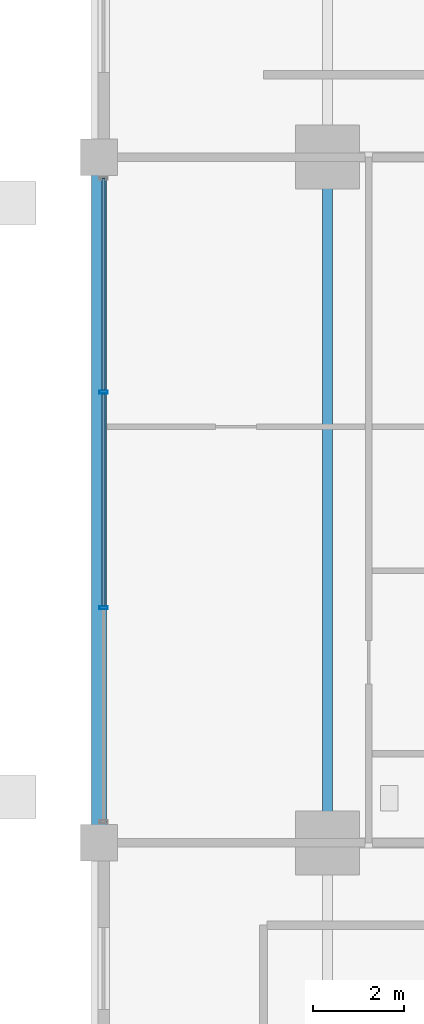
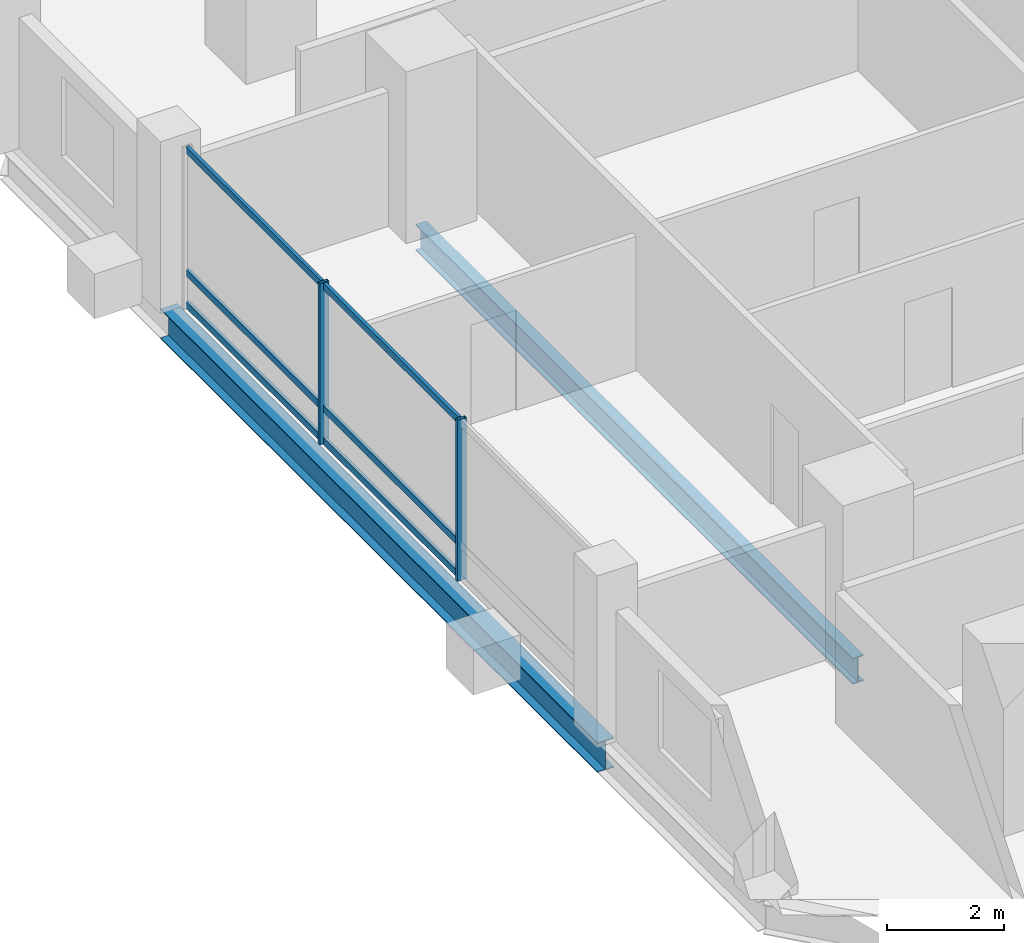
# One storey, part 6 of 23: 8 members, 2 beams, 1 element without a shape of its own.
"""IFC4 building model written with IfcOpenShell, lengths in metres."""

from ifc_helpers import new_model, si_unit, direction, frame, origin, origin_2d, place, context, subcontext, project, spatial, hollow_rectangle, i_section, extrude, material, layer, layer_set, material_profile, profile_set, type_object, element, aggregate, save


model = new_model("IFC4")

# Units and contexts
model_context = context("Model", 3, precision=1e-05, world=origin(), true_north=direction((0.0, 1.0)))
body_context = subcontext(model_context, "Body", "Model", "MODEL_VIEW")
ifc_project = project(units=[si_unit("LENGTHUNIT", "METRE"), si_unit("AREAUNIT", "SQUARE_METRE"), si_unit("VOLUMEUNIT", "CUBIC_METRE"), si_unit("PLANEANGLEUNIT", "RADIAN"), si_unit("MASSUNIT", "GRAM", prefix="KILO")], contexts=[model_context])

# Site, building, storey
site_placement = place(None, origin())
site = spatial("IfcSite", under=ifc_project, at=site_placement, CompositionType="ELEMENT")
building_placement = place(site_placement, origin())
building = spatial("IfcBuilding", under=site, at=building_placement, Name="Barlavira Tower and Art Museum", CompositionType="ELEMENT")
storey_placement = place(building_placement, frame((0.0, 0.0, 75.60009765625)))
storey = spatial("IfcBuildingStorey", under=building, at=storey_placement, Name="L18", CompositionType="ELEMENT", Elevation=75.60009765625)

# Curtain wall, members
ifc_material_1 = material(Name="Low-iron coastal laminated glass", Category="glass")
ifc_layer = layer(ifc_material_1, 0.179931640625, Name="Low-iron coastal laminated glass")
ifc_layer_set = layer_set([ifc_layer], Name="Low-iron coastal laminated glass")
curtain_wall_type = type_object("IfcCurtainWallType", Name="Pale-Metal Unitised Curtain Wall Zone 1", PredefinedType="NOTDEFINED", material=ifc_layer_set)
curtain_wall_placement = place(storey_placement, origin())
curtain_wall = element("IfcCurtainWall", 1, at=curtain_wall_placement, inside=storey, type_object=curtain_wall_type, Name="L18 Curtain Wall CW1-L18-W-B3", PredefinedType="NOTDEFINED")
ifc_material_2 = material(Name="Pale anodised aluminium", Category="aluminium")
ifc_material_profile_1 = material_profile(ifc_material_2, hollow_rectangle(XDim=0.06494140625, YDim=0.179931640625, WallThickness=0.00390625, at=origin_2d()), Name="ALU-MULL 65x180x4")
ifc_profile_set_1 = profile_set([ifc_material_profile_1], Name="Pale anodised aluminium")
member_type_1 = type_object("IfcMemberType", Name="Curtain Wall Pale-Metal Mullion 65x180", PredefinedType="MULLION", material=ifc_profile_set_1)
member_1_placement = place(storey_placement, frame((-21.89990234375, 2.360107421875, 0.0), z_axis=(0.0, 0.0, 1.0), x_axis=(0.0, -1.0, 0.0)))
member_1 = element("IfcMember", 2, at=member_1_placement, type_object=member_type_1, Name="CW1-L18-W-B3 Mullion 1", PredefinedType="MULLION", context=body_context, shape_type="SweptSolid", body=[
    extrude(hollow_rectangle(XDim=0.06494140625, YDim=0.179931640625, WallThickness=0.00390625, at=origin_2d()), origin(), (0.0, 0.0, 1.0), 3.3798828125),
])
member_2_placement = place(storey_placement, frame((-21.89990234375, -2.360107421875, 0.0), z_axis=(0.0, 0.0, 1.0), x_axis=(0.0, -1.0, 0.0)))
member_2 = element("IfcMember", 3, at=member_2_placement, type_object=member_type_1, Name="CW1-L18-W-B3 Mullion 2", PredefinedType="MULLION", context=body_context, shape_type="SweptSolid", body=[
    extrude(hollow_rectangle(XDim=0.06494140625, YDim=0.179931640625, WallThickness=0.00390625, at=origin_2d()), origin(), (0.0, 0.0, 1.0), 3.3798828125),
])
ifc_material_profile_2 = material_profile(ifc_material_2, hollow_rectangle(XDim=0.06494140625, YDim=0.139892578125, WallThickness=0.00390625, at=origin_2d()), Name="ALU-TRAN 65x140x4")
ifc_profile_set_2 = profile_set([ifc_material_profile_2], Name="Pale anodised aluminium")
member_type_2 = type_object("IfcMemberType", Name="Curtain Wall Pale-Metal Transom 65x140", PredefinedType="USERDEFINED", material=ifc_profile_set_2)
member_3_placement = place(storey_placement, frame((-21.89990234375, 7.034912109375, 0.06982421875), z_axis=(0.0, -1.0, 0.0), x_axis=(1.0, 0.0, 0.0)))
member_3 = element("IfcMember", 4, at=member_3_placement, type_object=member_type_2, Name="CW1-L18-W-B3 Transom 0.1", ObjectType="TRANSOM", PredefinedType="USERDEFINED", context=body_context, shape_type="SweptSolid", body=[
    extrude(hollow_rectangle(XDim=0.06494140625, YDim=0.139892578125, WallThickness=0.00390625, at=origin_2d()), origin(), (0.0, 0.0, 1.0), 4.6298828125),
])
member_4_placement = place(storey_placement, frame((-21.89990234375, 7.034912109375, 0.743896484375), z_axis=(0.0, -1.0, 0.0), x_axis=(1.0, 0.0, 0.0)))
member_4 = element("IfcMember", 5, at=member_4_placement, type_object=member_type_2, Name="CW1-L18-W-B3 Transom 0.2", ObjectType="TRANSOM", PredefinedType="USERDEFINED", context=body_context, shape_type="SweptSolid", body=[
    extrude(hollow_rectangle(XDim=0.06494140625, YDim=0.139892578125, WallThickness=0.00390625, at=origin_2d()), origin(), (0.0, 0.0, 1.0), 4.6298828125),
])
member_5_placement = place(storey_placement, frame((-21.89990234375, 7.034912109375, 3.309814453125), z_axis=(0.0, -1.0, 0.0), x_axis=(1.0, 0.0, 0.0)))
member_5 = element("IfcMember", 6, at=member_5_placement, type_object=member_type_2, Name="CW1-L18-W-B3 Transom 0.3", ObjectType="TRANSOM", PredefinedType="USERDEFINED", context=body_context, shape_type="SweptSolid", body=[
    extrude(hollow_rectangle(XDim=0.06494140625, YDim=0.139892578125, WallThickness=0.00390625, at=origin_2d()), origin(), (0.0, 0.0, 1.0), 4.6298828125),
])
member_6_placement = place(storey_placement, frame((-21.89990234375, 2.31494140625, 0.06982421875), z_axis=(0.0, -1.0, 0.0), x_axis=(1.0, 0.0, 0.0)))
member_6 = element("IfcMember", 7, at=member_6_placement, type_object=member_type_2, Name="CW1-L18-W-B3 Transom 1.1", ObjectType="TRANSOM", PredefinedType="USERDEFINED", context=body_context, shape_type="SweptSolid", body=[
    extrude(hollow_rectangle(XDim=0.06494140625, YDim=0.139892578125, WallThickness=0.00390625, at=origin_2d()), origin(), (0.0, 0.0, 1.0), 4.6298828125),
])
member_7_placement = place(storey_placement, frame((-21.89990234375, 2.31494140625, 0.743896484375), z_axis=(0.0, -1.0, 0.0), x_axis=(1.0, 0.0, 0.0)))
member_7 = element("IfcMember", 8, at=member_7_placement, type_object=member_type_2, Name="CW1-L18-W-B3 Transom 1.2", ObjectType="TRANSOM", PredefinedType="USERDEFINED", context=body_context, shape_type="SweptSolid", body=[
    extrude(hollow_rectangle(XDim=0.06494140625, YDim=0.139892578125, WallThickness=0.00390625, at=origin_2d()), origin(), (0.0, 0.0, 1.0), 4.6298828125),
])
member_8_placement = place(storey_placement, frame((-21.89990234375, 2.31494140625, 3.309814453125), z_axis=(0.0, -1.0, 0.0), x_axis=(1.0, 0.0, 0.0)))
member_8 = element("IfcMember", 9, at=member_8_placement, type_object=member_type_2, Name="CW1-L18-W-B3 Transom 1.3", ObjectType="TRANSOM", PredefinedType="USERDEFINED", context=body_context, shape_type="SweptSolid", body=[
    extrude(hollow_rectangle(XDim=0.06494140625, YDim=0.139892578125, WallThickness=0.00390625, at=origin_2d()), origin(), (0.0, 0.0, 1.0), 4.6298828125),
])
aggregate(curtain_wall, [member_1, member_2, member_3, member_4, member_5, member_6, member_7, member_8])

# Beams
ifc_material_3 = material(Name="Steel S355", Category="steel")
ifc_material_profile_3 = material_profile(ifc_material_3, i_section(OverallWidth=0.327880859375, OverallDepth=0.62890625, WebThickness=0.013916015625, FlangeThickness=0.021484375, at=origin_2d()), Name="W610x174.0")
ifc_profile_set_3 = profile_set([ifc_material_profile_3], Name="Steel S355")
beam_type_1 = type_object("IfcBeamType", Name="Perimeter Spandrel Edge Beam W610x174 Steel S355", PredefinedType="SPANDREL", material=ifc_profile_set_3)
beam_1_placement = place(storey_placement, frame((-22.0, -7.5, -0.53466796875), z_axis=(0.0, 1.0, 0.0), x_axis=(-1.0, 0.0, 0.0)))
element("IfcBeam", 10, at=beam_1_placement, inside=storey, type_object=beam_type_1, Name="L18 Spandrel 14", PredefinedType="SPANDREL", context=body_context, shape_type="SweptSolid", body=[
    extrude(i_section(OverallWidth=0.327880859375, OverallDepth=0.62890625, WebThickness=0.013916015625, FlangeThickness=0.021484375, at=origin_2d()), origin(), (0.0, 0.0, 1.0), 15.0),
])
ifc_material_profile_4 = material_profile(ifc_material_3, i_section(OverallWidth=0.214111328125, OverallDepth=0.549072265625, WebThickness=0.0146484375, FlangeThickness=0.023681640625, at=origin_2d()), Name="W530x138.0")
ifc_profile_set_4 = profile_set([ifc_material_profile_4], Name="Steel S355")
beam_type_2 = type_object("IfcBeamType", Name="Zone 1 Primary Floor Girder W530x138 Steel S355", PredefinedType="BEAM", material=ifc_profile_set_4)
beam_2_placement = place(storey_placement, frame((-17.0, -7.5, -0.49462890625), z_axis=(0.0, 1.0, 0.0), x_axis=(-1.0, 0.0, 0.0)))
element("IfcBeam", 11, at=beam_2_placement, inside=storey, type_object=beam_type_2, Name="L18 Girder M-W2", PredefinedType="BEAM", context=body_context, shape_type="SweptSolid", body=[
    extrude(i_section(OverallWidth=0.214111328125, OverallDepth=0.549072265625, WebThickness=0.0146484375, FlangeThickness=0.023681640625, at=origin_2d()), origin(), (0.0, 0.0, 1.0), 15.0),
])

save(model, "model.ifc")
